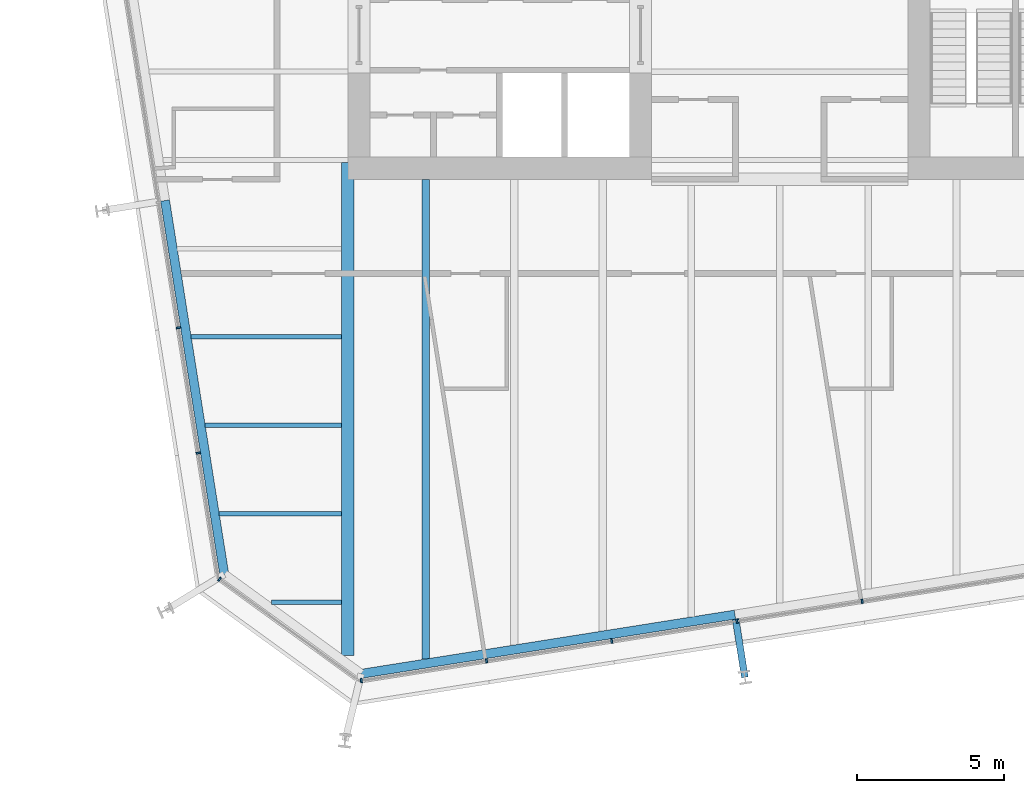
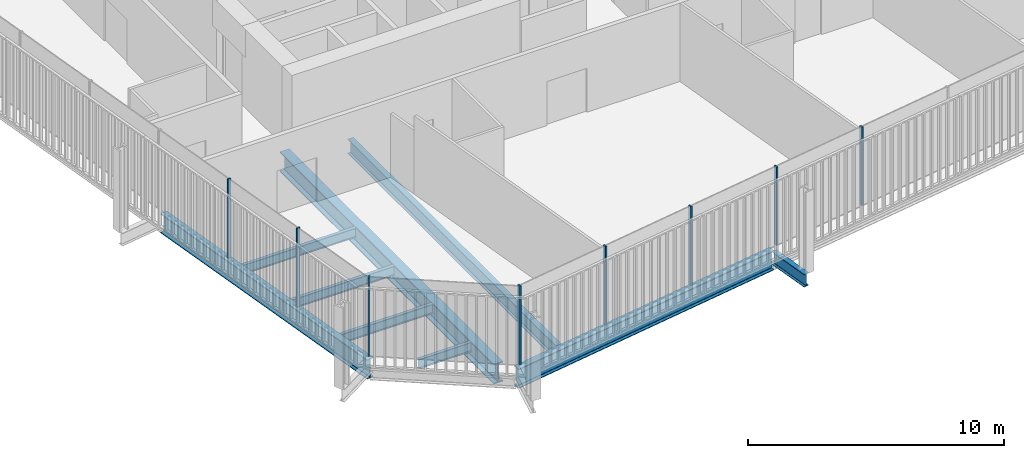
# One storey, part 2 of 21: 9 beams, 8 members, 3 elements without a shape of their own.
"""IFC4 building model written with IfcOpenShell, lengths in metres."""

from ifc_helpers import new_model, si_unit, direction, frame, origin, origin_2d, place, context, subcontext, project, spatial, rectangle, i_section, extrude, material, layer, layer_set, material_profile, profile_set, type_object, element, aggregate, save


model = new_model("IFC4")

# Units and contexts
model_context = context("Model", 3, precision=1e-05, world=origin(), true_north=direction((0.0, 1.0)))
body_context = subcontext(model_context, "Body", "Model", "MODEL_VIEW")
ifc_project = project(units=[si_unit("LENGTHUNIT", "METRE"), si_unit("AREAUNIT", "SQUARE_METRE"), si_unit("VOLUMEUNIT", "CUBIC_METRE"), si_unit("PLANEANGLEUNIT", "RADIAN"), si_unit("MASSUNIT", "GRAM", prefix="KILO")], contexts=[model_context])

# Site, building, storey
site_placement = place(None, origin())
site = spatial("IfcSite", under=ifc_project, at=site_placement, CompositionType="ELEMENT")
building_placement = place(site_placement, origin())
building = spatial("IfcBuilding", under=site, at=building_placement, Name="Millrace Tower", CompositionType="ELEMENT")
storey_placement = place(building_placement, frame((0.0, 0.0, 164.60009765625)))
storey = spatial("IfcBuildingStorey", under=building, at=storey_placement, Name="L37", CompositionType="ELEMENT", Elevation=164.60009765625)

# Curtain wall, member
ifc_material_1 = material(Name="Aluminium and glass", Category="aluminium")
ifc_layer = layer(ifc_material_1, 0.14990234375)
ifc_layer_set = layer_set([ifc_layer], Name="Aluminium and glass")
curtain_wall_type = type_object("IfcCurtainWallType", Name="CW-1 office vision curtain wall", PredefinedType="NOTDEFINED", material=ifc_layer_set)
placement = place(storey_placement, origin())
curtain_wall_1 = element("IfcCurtainWall", 1, at=placement, inside=storey, type_object=curtain_wall_type, Name="Curtain wall C-F01 L37", PredefinedType="NOTDEFINED")
ifc_material_2 = material(Name="Aluminium", Category="aluminium")
ifc_material_profile_1 = material_profile(ifc_material_2, rectangle(XDim=0.06494140625, YDim=0.14990234375, at=origin_2d()))
ifc_profile_set_1 = profile_set([ifc_material_profile_1], Name="Aluminium")
member_type = type_object("IfcMemberType", Name="CW-1 office vision curtain wall mullion", PredefinedType="MULLION", material=ifc_profile_set_1)
member_1_placement = place(storey_placement, frame((-19.00146484375, -23.2177734375, 0.139892578125), z_axis=(0.0, 0.0, 1.0), x_axis=(0.809016981623, -0.587785269844, 0.0)))
member_1 = element("IfcMember", 2, at=member_1_placement, type_object=member_type, Name="CW1 mullion C-F01.1", PredefinedType="MULLION", context=body_context, shape_type="SweptSolid", body=[
    extrude(rectangle(XDim=0.06494140625, YDim=0.14990234375, at=origin_2d()), origin(), (0.0, 0.0, 1.0), 3.760009765625),
])
aggregate(curtain_wall_1, [member_1])

# Curtain wall, members
curtain_wall_2 = element("IfcCurtainWall", 3, at=placement, inside=storey, type_object=curtain_wall_type, Name="Curtain wall C-F02 L37", PredefinedType="NOTDEFINED")
member_2_placement = place(storey_placement, frame((-14.191650390625, -26.65673828125, 0.139892578125), z_axis=(0.0, 0.0, 1.0), x_axis=(0.98768833929, 0.15643447328, 0.0)))
member_2 = element("IfcMember", 4, at=member_2_placement, type_object=member_type, Name="CW1 mullion C-F02.1", PredefinedType="MULLION", context=body_context, shape_type="SweptSolid", body=[
    extrude(rectangle(XDim=0.06494140625, YDim=0.14990234375, at=origin_2d()), origin(), (0.0, 0.0, 1.0), 3.760009765625),
])
member_3_placement = place(storey_placement, frame((-9.944580078125, -25.98388671875, 0.139892578125), z_axis=(0.0, 0.0, 1.0), x_axis=(0.98768833929, 0.15643447328, 0.0)))
member_3 = element("IfcMember", 5, at=member_3_placement, type_object=member_type, Name="CW1 mullion C-F02.2", PredefinedType="MULLION", context=body_context, shape_type="SweptSolid", body=[
    extrude(rectangle(XDim=0.06494140625, YDim=0.14990234375, at=origin_2d()), origin(), (0.0, 0.0, 1.0), 3.760009765625),
])
member_4_placement = place(storey_placement, frame((-5.697509765625, -25.311279296875, 0.139892578125), z_axis=(0.0, 0.0, 1.0), x_axis=(0.98768833929, 0.15643447328, 0.0)))
member_4 = element("IfcMember", 6, at=member_4_placement, type_object=member_type, Name="CW1 mullion C-F02.3", PredefinedType="MULLION", context=body_context, shape_type="SweptSolid", body=[
    extrude(rectangle(XDim=0.06494140625, YDim=0.14990234375, at=origin_2d()), origin(), (0.0, 0.0, 1.0), 3.760009765625),
])
member_5_placement = place(storey_placement, frame((-1.450439453125, -24.638671875, 0.139892578125), z_axis=(0.0, 0.0, 1.0), x_axis=(0.98768833929, 0.15643447328, 0.0)))
member_5 = element("IfcMember", 7, at=member_5_placement, type_object=member_type, Name="CW1 mullion C-F02.4", PredefinedType="MULLION", context=body_context, shape_type="SweptSolid", body=[
    extrude(rectangle(XDim=0.06494140625, YDim=0.14990234375, at=origin_2d()), origin(), (0.0, 0.0, 1.0), 3.760009765625),
])
member_6_placement = place(storey_placement, frame((2.796630859375, -23.966064453125, 0.139892578125), z_axis=(0.0, 0.0, 1.0), x_axis=(0.98768833929, 0.15643447328, 0.0)))
member_6 = element("IfcMember", 8, at=member_6_placement, type_object=member_type, Name="CW1 mullion C-F02.5", PredefinedType="MULLION", context=body_context, shape_type="SweptSolid", body=[
    extrude(rectangle(XDim=0.06494140625, YDim=0.14990234375, at=origin_2d()), origin(), (0.0, 0.0, 1.0), 3.760009765625),
])
aggregate(curtain_wall_2, [member_2, member_3, member_4, member_5, member_6])

curtain_wall_3 = element("IfcCurtainWall", 9, at=placement, inside=storey, type_object=curtain_wall_type, Name="Curtain wall C-F08 L37", PredefinedType="NOTDEFINED")
member_7_placement = place(storey_placement, frame((-20.39794921875, -14.687744140625, 0.139892578125), z_axis=(0.0, 0.0, 1.0), x_axis=(0.15643447328, -0.98768833929, 0.0)))
member_7 = element("IfcMember", 10, at=member_7_placement, type_object=member_type, Name="CW1 mullion C-F08.8", PredefinedType="MULLION", context=body_context, shape_type="SweptSolid", body=[
    extrude(rectangle(XDim=0.06494140625, YDim=0.14990234375, at=origin_2d()), origin(), (0.0, 0.0, 1.0), 3.760009765625),
])
member_8_placement = place(storey_placement, frame((-19.725341796875, -18.934814453125, 0.139892578125), z_axis=(0.0, 0.0, 1.0), x_axis=(0.15643447328, -0.98768833929, 0.0)))
member_8 = element("IfcMember", 11, at=member_8_placement, type_object=member_type, Name="CW1 mullion C-F08.9", PredefinedType="MULLION", context=body_context, shape_type="SweptSolid", body=[
    extrude(rectangle(XDim=0.06494140625, YDim=0.14990234375, at=origin_2d()), origin(), (0.0, 0.0, 1.0), 3.760009765625),
])
aggregate(curtain_wall_3, [member_7, member_8])

# Beams
ifc_material_3 = material(Name="Steel ASTM A992 Grade 50", Category="steel")
ifc_material_profile_2 = material_profile(ifc_material_3, i_section(OverallWidth=0.15234375, OverallDepth=0.449462890625, WebThickness=0.007568359375, FlangeThickness=0.0107421875, FilletRadius=0.01025390625, at=origin_2d()))
ifc_profile_set_2 = profile_set([ifc_material_profile_2], Name="Steel ASTM A992 Grade 50")
beam_type_1 = type_object("IfcBeamType", Name="Floor beam W18x35", PredefinedType="JOIST", material=ifc_profile_set_2)
beam_1_placement = place(storey_placement, frame((-19.01123046875, -21.0, -0.384765625), z_axis=(1.0, 0.0, 0.0), x_axis=(0.0, 1.0, 0.0)))
element("IfcBeam", 12, at=beam_1_placement, inside=storey, type_object=beam_type_1, Name="BM-C-L37-S1-S002", PredefinedType="JOIST", context=body_context, shape_type="SweptSolid", body=[
    extrude(i_section(OverallWidth=0.15234375, OverallDepth=0.449462890625, WebThickness=0.007568359375, FlangeThickness=0.0107421875, FilletRadius=0.01025390625, at=origin_2d()), origin(), (0.0, 0.0, 1.0), 4.151611328125),
])
beam_2_placement = place(storey_placement, frame((-19.486328125, -18.0, -0.384765625), z_axis=(1.0, 0.0, 0.0), x_axis=(0.0, 1.0, 0.0)))
element("IfcBeam", 13, at=beam_2_placement, inside=storey, type_object=beam_type_1, Name="BM-C-L37-S1-S004", PredefinedType="JOIST", context=body_context, shape_type="SweptSolid", body=[
    extrude(i_section(OverallWidth=0.15234375, OverallDepth=0.449462890625, WebThickness=0.007568359375, FlangeThickness=0.0107421875, FilletRadius=0.01025390625, at=origin_2d()), origin(), (0.0, 0.0, 1.0), 4.626708984375),
])
beam_3_placement = place(storey_placement, frame((-19.96142578125, -15.0, -0.384765625), z_axis=(1.0, 0.0, 0.0), x_axis=(0.0, 1.0, 0.0)))
element("IfcBeam", 14, at=beam_3_placement, inside=storey, type_object=beam_type_1, Name="BM-C-L37-S1-S006", PredefinedType="JOIST", context=body_context, shape_type="SweptSolid", body=[
    extrude(i_section(OverallWidth=0.15234375, OverallDepth=0.449462890625, WebThickness=0.007568359375, FlangeThickness=0.0107421875, FilletRadius=0.01025390625, at=origin_2d()), origin(), (0.0, 0.0, 1.0), 5.101806640625),
])
beam_4_placement = place(storey_placement, frame((-17.246337890625, -24.0, -0.384765625), z_axis=(1.0, 0.0, 0.0), x_axis=(0.0, 1.0, 0.0)))
element("IfcBeam", 15, at=beam_4_placement, inside=storey, type_object=beam_type_1, Name="BM-C-L37-S1-S001", PredefinedType="JOIST", context=body_context, shape_type="SweptSolid", body=[
    extrude(i_section(OverallWidth=0.15234375, OverallDepth=0.449462890625, WebThickness=0.007568359375, FlangeThickness=0.0107421875, FilletRadius=0.01025390625, at=origin_2d()), origin(), (0.0, 0.0, 1.0), 2.38671875),
])
ifc_material_4 = material(Name="Steel ASTM A992 Grade 50", Category="steel")
ifc_material_profile_3 = material_profile(ifc_material_4, i_section(OverallWidth=0.256591796875, OverallDepth=0.693359375, WebThickness=0.014404296875, FlangeThickness=0.023681640625, FilletRadius=0.01513671875, at=origin_2d()))
ifc_profile_set_3 = profile_set([ifc_material_profile_3], Name="Steel ASTM A992 Grade 50")
beam_type_2 = type_object("IfcBeamType", Name="Floor beam W27x114", PredefinedType="JOIST", material=ifc_profile_set_3)
beam_5_placement = place(storey_placement, frame((-12.0, -25.92236328125, -0.5068359375), z_axis=(0.0, 1.0, 0.0), x_axis=(-1.0, 0.0, 0.0)))
element("IfcBeam", 16, at=beam_5_placement, inside=storey, type_object=beam_type_2, Name="BM-C-L37-S1-S040", PredefinedType="JOIST", context=body_context, shape_type="SweptSolid", body=[
    extrude(i_section(OverallWidth=0.256591796875, OverallDepth=0.693359375, WebThickness=0.014404296875, FlangeThickness=0.023681640625, FilletRadius=0.01513671875, at=origin_2d()), origin(), (0.0, 0.0, 1.0), 16.2724609375),
])
ifc_material_5 = material(Name="Steel ASTM A992 Grade 50", Category="steel")
ifc_material_profile_4 = material_profile(ifc_material_5, i_section(OverallWidth=0.424072265625, OverallDepth=0.947509765625, WebThickness=0.02392578125, FlangeThickness=0.042724609375, FilletRadius=0.024169921875, at=origin_2d()))
ifc_profile_set_4 = profile_set([ifc_material_profile_4], Name="Steel ASTM A992 Grade 50")
beam_type_3 = type_object("IfcBeamType", Name="Girder medium span W36x302", PredefinedType="BEAM", material=ifc_profile_set_4)
beam_6_placement = place(storey_placement, frame((-14.64990234375, -25.806640625, -0.6337890625), z_axis=(0.0, 1.0, 0.0), x_axis=(-1.0, 0.0, 0.0)))
element("IfcBeam", 17, at=beam_6_placement, inside=storey, type_object=beam_type_3, Name="BM-C-L37-S1-G058", PredefinedType="BEAM", context=body_context, shape_type="SweptSolid", body=[
    extrude(i_section(OverallWidth=0.424072265625, OverallDepth=0.947509765625, WebThickness=0.02392578125, FlangeThickness=0.042724609375, FilletRadius=0.024169921875, at=origin_2d()), origin(), (0.0, 0.0, 1.0), 16.720703125),
])
ifc_material_6 = material(Name="Steel ASTM A992 Grade 50", Category="steel")
ifc_material_profile_5 = material_profile(ifc_material_6, i_section(OverallWidth=0.23046875, OverallDepth=0.6171875, WebThickness=0.01318359375, FlangeThickness=0.022216796875, FilletRadius=0.012939453125, at=origin_2d()))
ifc_profile_set_5 = profile_set([ifc_material_profile_5], Name="Steel ASTM A992 Grade 50")
beam_type_4 = type_object("IfcBeamType", Name="Link beam W24x94", PredefinedType="BEAM", material=ifc_profile_set_5)
beam_7_placement = place(storey_placement, frame((-1.494384765625, -24.569580078125, -0.46875), z_axis=(0.156476509441, -0.987681680499, 0.0), x_axis=(0.987681680499, 0.156476509441, 0.0)))
element("IfcBeam", 18, at=beam_7_placement, inside=storey, type_object=beam_type_4, Name="LNK-C-L37-S1-15", PredefinedType="BEAM", context=body_context, shape_type="SweptSolid", body=[
    extrude(i_section(OverallWidth=0.23046875, OverallDepth=0.6171875, WebThickness=0.01318359375, FlangeThickness=0.022216796875, FilletRadius=0.012939453125, at=origin_2d()), origin(), (0.0, 0.0, 1.0), 2.000244140625),
])
ifc_material_7 = material(Name="Steel ASTM A992 Grade 50", Category="steel")
ifc_material_profile_6 = material_profile(ifc_material_7, i_section(OverallWidth=0.307373046875, OverallDepth=0.927001953125, WebThickness=0.01953125, FlangeThickness=0.031982421875, FilletRadius=0.01904296875, at=origin_2d()))
ifc_profile_set_6 = profile_set([ifc_material_profile_6], Name="Steel ASTM A992 Grade 50")
beam_type_5 = type_object("IfcBeamType", Name="Ring beam medium span W36x194", PredefinedType="SPANDREL", material=ifc_profile_set_6)
beam_8_placement = place(storey_placement, frame((-18.841796875, -23.051025390625, -0.62353515625), z_axis=(-0.156436246498, 0.987688058438, 0.0), x_axis=(-0.987688058438, -0.156436246498, 0.0)))
element("IfcBeam", 19, at=beam_8_placement, inside=storey, type_object=beam_type_5, Name="RNG-C-L37-S1-01", PredefinedType="SPANDREL", context=body_context, shape_type="SweptSolid", body=[
    extrude(i_section(OverallWidth=0.307373046875, OverallDepth=0.927001953125, WebThickness=0.01953125, FlangeThickness=0.031982421875, FilletRadius=0.01904296875, at=origin_2d()), origin(), (0.0, 0.0, 1.0), 12.836181640625),
])
beam_9_placement = place(storey_placement, frame((-1.518310546875, -24.41796875, -0.62353515625), z_axis=(-0.987688523879, -0.15643330783, 0.0), x_axis=(0.15643330783, -0.987688523879, 0.0)))
element("IfcBeam", 20, at=beam_9_placement, inside=storey, type_object=beam_type_5, Name="RNG-C-L37-S1-15", PredefinedType="SPANDREL", context=body_context, shape_type="SweptSolid", body=[
    extrude(i_section(OverallWidth=0.307373046875, OverallDepth=0.927001953125, WebThickness=0.01953125, FlangeThickness=0.031982421875, FilletRadius=0.01904296875, at=origin_2d()), origin(), (0.0, 0.0, 1.0), 12.83642578125),
])

save(model, "model.ifc")
